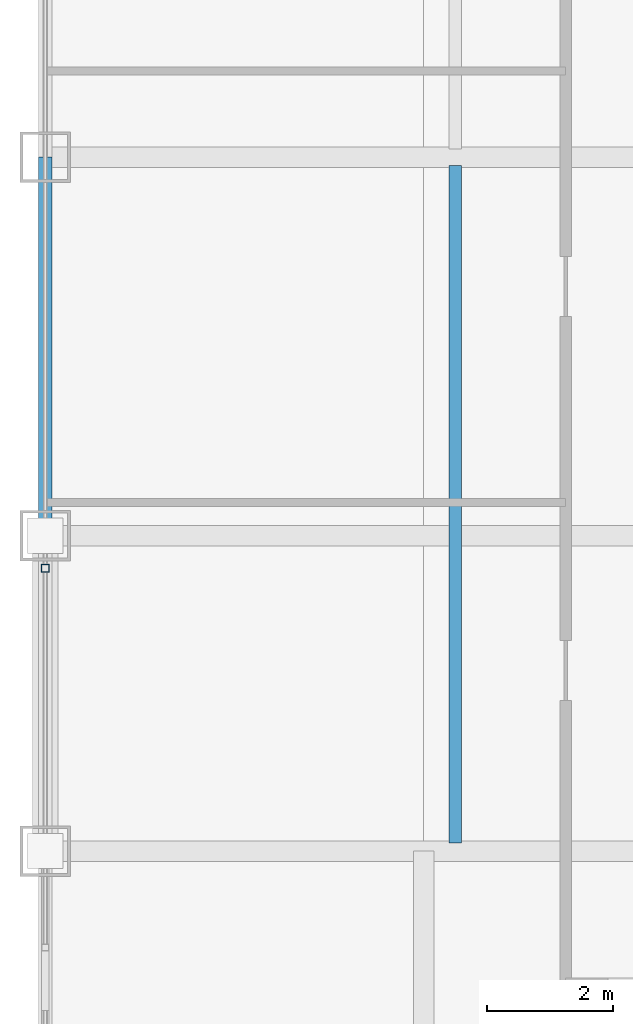
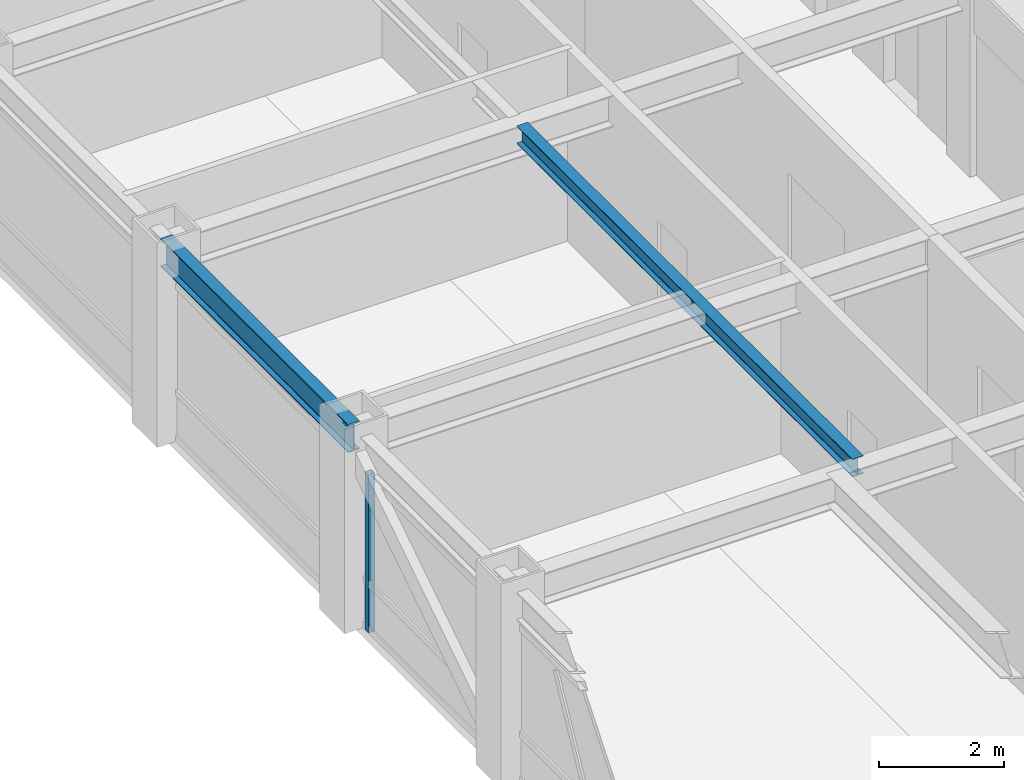
# One storey, part 7 of 29: 2 beams, 1 member, 1 element without a shape of its own.
"""IFC4 building model written with IfcOpenShell, lengths in metres."""

from ifc_helpers import new_model, si_unit, direction, frame, origin, origin_2d, place, context, subcontext, project, spatial, hollow_rectangle, i_section, extrude, source, transform, mapped, material, material_profile, profile_set, type_object, element, aggregate, save


model = new_model("IFC4")

# Units and contexts
model_context = context("Model", 3, precision=1e-05, world=origin(), true_north=direction((0.0, 1.0)))
body_context = subcontext(model_context, "Body", "Model", "MODEL_VIEW")
ifc_project = project(units=[si_unit("LENGTHUNIT", "METRE"), si_unit("AREAUNIT", "SQUARE_METRE"), si_unit("VOLUMEUNIT", "CUBIC_METRE"), si_unit("PLANEANGLEUNIT", "RADIAN"), si_unit("MASSUNIT", "GRAM", prefix="KILO")], contexts=[model_context])

# Site, building, storey
site_placement = place(None, origin())
site = spatial("IfcSite", under=ifc_project, at=site_placement, CompositionType="ELEMENT")
building_placement = place(site_placement, origin())
building = spatial("IfcBuilding", under=site, at=building_placement, Name="Khorayat Bourse Tower", CompositionType="ELEMENT")
storey_placement = place(building_placement, frame((0.0, 0.0, 346.300048828125)))
storey = spatial("IfcBuildingStorey", under=building, at=storey_placement, Name="L82", CompositionType="ELEMENT", Elevation=346.300048828125)

# Beams
ifc_material_1 = material(Name="Steel ASTM A992 Grade 50", Category="steel")
ifc_material_profile_1 = material_profile(ifc_material_1, i_section(OverallWidth=0.202880859375, OverallDepth=0.346923828125, WebThickness=0.0078125, FlangeThickness=0.013427734375, FilletRadius=0.010009765625, at=origin_2d()), Name="W360X64")
ifc_profile_set_1 = profile_set([ifc_material_profile_1], Name="Steel ASTM A992 Grade 50")
beam_type_1 = type_object("IfcBeamType", Name="BM-JOIST-360", PredefinedType="JOIST", material=ifc_profile_set_1)
shared_shape_1 = source(origin(), body_context, "Body", "SweptSolid", [
    extrude(i_section(OverallWidth=0.202880859375, OverallDepth=0.346923828125, WebThickness=0.0078125, FlangeThickness=0.013427734375, FilletRadius=0.010009765625, at=origin_2d()), origin(), (0.0, 0.0, 1.0), 10.740234375),
])
beam_1_placement = place(storey_placement, frame((-19.5, -10.8701171875, 3.56640625), z_axis=(0.0, 1.0, 0.0), x_axis=(-1.0, 0.0, 0.0)))
element("IfcBeam", 1, at=beam_1_placement, inside=storey, type_object=beam_type_1, Name="L82 BM-JOIST-360 BM-L82-JSTY-079", PredefinedType="JOIST", context=body_context, shape_type="MappedRepresentation", body=[
    mapped(shared_shape_1, transform((0.0, 0.0, 0.0), scale=1.0)),
])
ifc_material_profile_2 = material_profile(ifc_material_1, i_section(OverallWidth=0.214111328125, OverallDepth=0.549072265625, WebThickness=0.0146484375, FlangeThickness=0.023681640625, FilletRadius=0.013916015625, at=origin_2d()), Name="W530X138")
ifc_profile_set_2 = profile_set([ifc_material_profile_2], Name="Steel ASTM A992 Grade 50")
beam_type_2 = type_object("IfcBeamType", Name="BM-SPAN-530", PredefinedType="SPANDREL", material=ifc_profile_set_2)
shared_shape_2 = source(origin(), body_context, "Body", "SweptSolid", [
    extrude(i_section(OverallWidth=0.214111328125, OverallDepth=0.549072265625, WebThickness=0.0146484375, FlangeThickness=0.023681640625, FilletRadius=0.013916015625, at=origin_2d()), origin(), (0.0, 0.0, 1.0), 6.0),
])
beam_2_placement = place(storey_placement, frame((-26.0, -6.0, 3.46533203125), z_axis=(0.0, 1.0, 0.0), x_axis=(-1.0, 0.0, 0.0)))
element("IfcBeam", 2, at=beam_2_placement, inside=storey, type_object=beam_type_2, Name="L82 BM-SPAN-530 BM-L82-SPN-048", PredefinedType="SPANDREL", context=body_context, shape_type="MappedRepresentation", body=[
    mapped(shared_shape_2, transform((0.0, 0.0, 0.0), scale=1.0)),
])

# Curtain wall, member
ifc_material_2 = material(Name="Aluminium EN AW-6063 T6", Category="aluminium")
curtain_wall_type = type_object("IfcCurtainWallType", Name="CW-SYS-06", PredefinedType="NOTDEFINED", material=ifc_material_2)
curtain_wall_placement = place(storey_placement, origin())
curtain_wall = element("IfcCurtainWall", 3, at=curtain_wall_placement, inside=storey, type_object=curtain_wall_type, Name="L82 Curtain Wall CW-L82-W1", PredefinedType="NOTDEFINED")
ifc_material_profile_3 = material_profile(ifc_material_2, hollow_rectangle(XDim=0.1201171875, YDim=0.1201171875, WallThickness=0.0048828125, at=origin_2d()), Name="ALU 120x120x5")
ifc_profile_set_3 = profile_set([ifc_material_profile_3], Name="Aluminium EN AW-6063 T6")
member_type = type_object("IfcMemberType", Name="CWM-VERT-120", PredefinedType="MULLION", material=ifc_profile_set_3)
shared_shape_3 = source(origin(), body_context, "Body", "SweptSolid", [
    extrude(hollow_rectangle(XDim=0.1201171875, YDim=0.1201171875, WallThickness=0.0048828125, at=origin_2d()), origin(), (0.0, 0.0, 1.0), 3.08984375),
])
member_placement = place(storey_placement, frame((-26.0, -6.5166015625, 0.0), z_axis=(0.0, 0.0, 1.0), x_axis=(1.0, 0.0, 0.0)))
member = element("IfcMember", 4, at=member_placement, type_object=member_type, Name="CW-L82-W1 Vertical Mullion 3", PredefinedType="MULLION", context=body_context, shape_type="MappedRepresentation", body=[
    mapped(shared_shape_3, transform((0.0, 0.0, 0.0), scale=1.0)),
])
aggregate(curtain_wall, [member])

save(model, "model.ifc")
